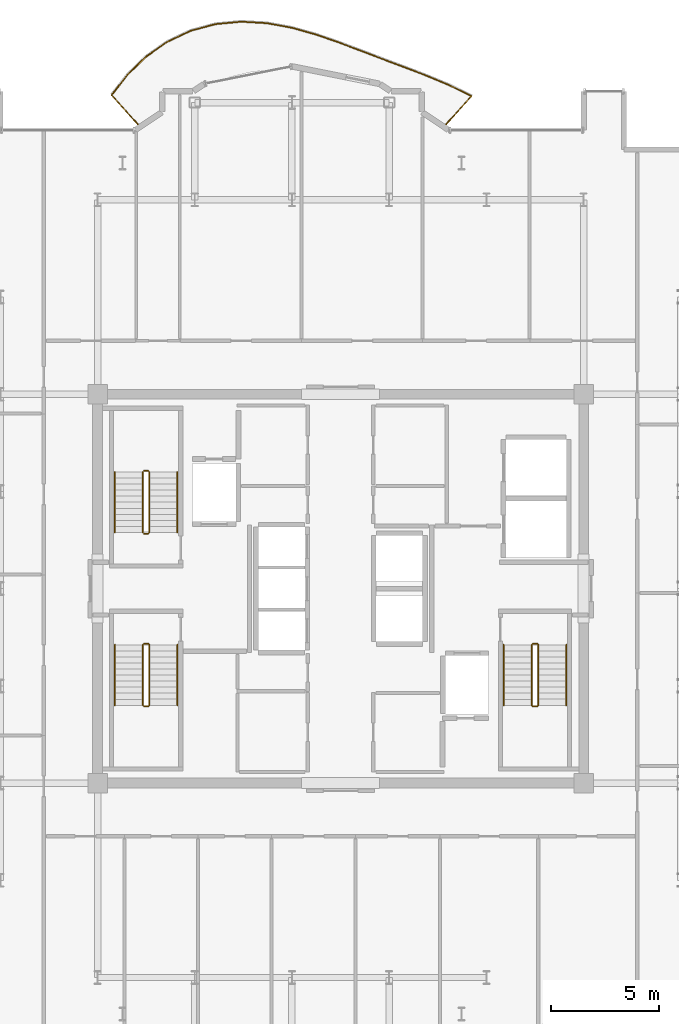
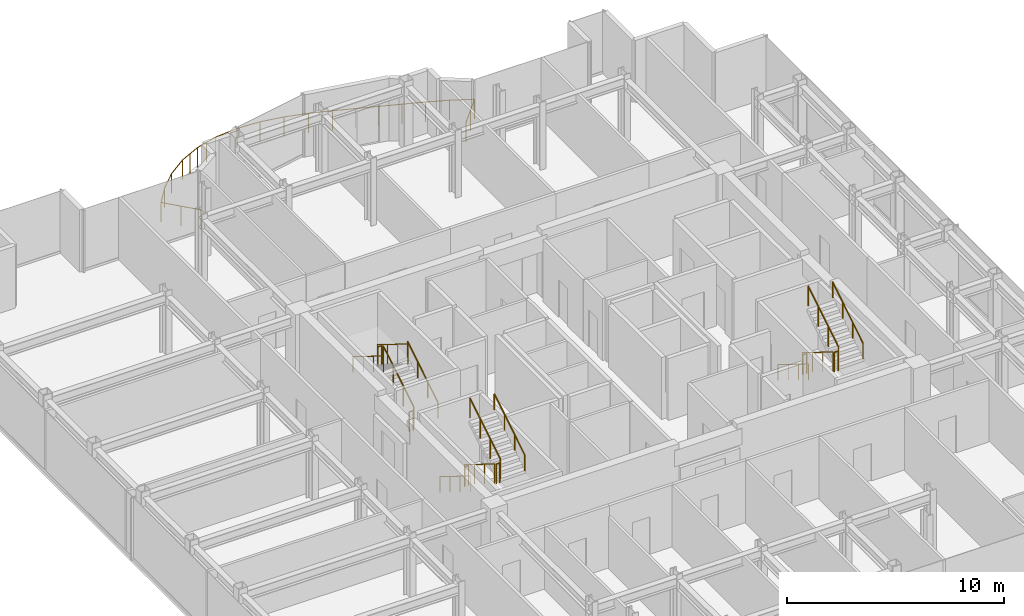
# One storey, part 18 of 18: 19 railings.
"""IFC4 building model written with IfcOpenShell, lengths in metres."""

import ifcopenshell
import ifcopenshell.guid

model = None  # the IFC model being written
_history = None  # IfcOwnerHistory: only IFC2X3 demands one
_inside = {}  # id of a spatial element -> (the spatial element, [elements in it])
_under = {}  # id of a project, library or spatial element -> (it, [spatial elements below it])
_declared = {}  # id of a project -> (the project, [libraries it declares])
_typed = {}  # id of a type object -> (the type object, [elements of that type])
_made_of = {}  # id of a material, layer set ... -> (it, [elements and type objects made of it])


def new_model(schema):
    """Start an empty IFC model of exactly this schema.

    Asked for "IFC4X3", IfcOpenShell would pick the latest addendum, in which some entities
    have other attributes; the version numbers below select the first issue.
    IFC2X3 requires an IfcOwnerHistory on every rooted entity: one is made here for all.
    """
    global model, _history
    if schema == "IFC4X3":
        model = ifcopenshell.file(schema_version=(4, 3, 0, 0))
    else:
        model = ifcopenshell.file(schema=schema)
    _inside.clear()
    _under.clear()
    _declared.clear()
    _typed.clear()
    _made_of.clear()
    _history = None
    if model.schema == "IFC2X3":
        org = make("IfcOrganization", Name="unknown")
        user = make(
            "IfcPersonAndOrganization",
            ThePerson=make("IfcPerson", FamilyName="unknown"),
            TheOrganization=org,
        )
        app = make(
            "IfcApplication",
            ApplicationDeveloper=org,
            Version="unknown",
            ApplicationFullName="unknown",
            ApplicationIdentifier="unknown",
        )
        _history = make(
            "IfcOwnerHistory",
            OwningUser=user,
            OwningApplication=app,
            ChangeAction="ADDED",
            CreationDate=0,
        )
    return model


def make(cls, **values):
    """One entity of the class cls with the attributes given. An attribute that is None is left unset."""
    return model.create_entity(
        cls, **{name: value for name, value in values.items() if value is not None}
    )


def rooted(cls, **values):
    """An entity with a GlobalId (a new one), such as an element, a storey or a relation."""
    return make(cls, GlobalId=ifcopenshell.guid.new(), OwnerHistory=_history, **values)


def si_unit(unit_type, name, prefix=None):
    """IfcSIUnit, for example si_unit("LENGTHUNIT", "METRE", prefix="MILLI")."""
    return make("IfcSIUnit", UnitType=unit_type, Prefix=prefix, Name=name)


def assignment(units):
    """IfcUnitAssignment: the units of a project."""
    return None if units is None else make("IfcUnitAssignment", Units=units)


def point(xyz):
    """IfcCartesianPoint."""
    return None if xyz is None else make("IfcCartesianPoint", Coordinates=xyz)


def direction(xyz):
    """IfcDirection."""
    return None if xyz is None else make("IfcDirection", DirectionRatios=xyz)


def frame(location, z_axis=None, x_axis=None):
    """IfcAxis2Placement3D, a coordinate frame: its origin and axes. An axis left out is left unset."""
    return make(
        "IfcAxis2Placement3D",
        Location=point(location),
        Axis=direction(z_axis),
        RefDirection=direction(x_axis),
    )


def frame_2d(location, x_axis=None):
    """IfcAxis2Placement2D, a coordinate frame in the plane: its origin and x axis."""
    return make(
        "IfcAxis2Placement2D", Location=point(location), RefDirection=direction(x_axis)
    )


def origin():
    """The frame at (0, 0, 0) with its axes left unset."""
    return frame((0.0, 0.0, 0.0))


def origin_2d():
    """The frame at (0, 0) in the plane with its x axis left unset."""
    return frame_2d((0.0, 0.0))


def place(relative_to, where):
    """IfcLocalPlacement: puts the frame where relative to a parent placement (None: the world)."""
    return make(
        "IfcLocalPlacement", PlacementRelTo=relative_to, RelativePlacement=where
    )


def context(
    kind, dimensions, precision=None, world=None, true_north=None, identifier=None
):
    """IfcGeometricRepresentationContext, for example the 3D "Model" context."""
    return make(
        "IfcGeometricRepresentationContext",
        ContextIdentifier=identifier,
        ContextType=kind,
        CoordinateSpaceDimension=dimensions,
        Precision=precision,
        WorldCoordinateSystem=world,
        TrueNorth=true_north,
    )


def subcontext(parent, identifier, kind, view, scale=None):
    """IfcGeometricRepresentationSubContext, for example "Body" below "Model"."""
    return make(
        "IfcGeometricRepresentationSubContext",
        ContextIdentifier=identifier,
        ContextType=kind,
        ParentContext=parent,
        TargetScale=scale,
        TargetView=view,
    )


def project(units=None, contexts=None):
    """IfcProject with its units and contexts."""
    return rooted(
        "IfcProject",
        Name="project",
        RepresentationContexts=contexts,
        UnitsInContext=assignment(units),
    )


def spatial(cls, under=None, at=None, **own):
    """A site, building, storey or space (cls), placed at a placement, below another one or the project."""
    s = rooted(cls, ObjectPlacement=at, **own)
    if under is not None:
        _under.setdefault(under.id(), (under, []))[1].append(s)
    return s


def profile(cls, at=None, kind="AREA", **sizes):
    """A parametric profile (cls). Its sizes go by their IFC names, for example OverallWidth=200.0."""
    return make(cls, ProfileType=kind, Position=at, **sizes)


def circle(**sizes):
    """IfcCircleProfileDef."""
    return profile("IfcCircleProfileDef", **sizes)


def extrude(swept, where, along, depth):
    """IfcExtrudedAreaSolid: the profile swept, set in the frame where, extruded along a direction by depth."""
    return make(
        "IfcExtrudedAreaSolid",
        SweptArea=swept,
        Position=where,
        ExtrudedDirection=direction(along),
        Depth=depth,
    )


def shape(context_of_items, identifier, shape_type, items):
    """IfcShapeRepresentation: the items that make up one representation, for example the "Body"."""
    return make(
        "IfcShapeRepresentation",
        ContextOfItems=context_of_items,
        RepresentationIdentifier=identifier,
        RepresentationType=shape_type,
        Items=items,
    )


def material(Name=None, Category=None):
    """IfcMaterial."""
    return make("IfcMaterial", Name=Name, Category=Category)


def made_of(thing, what):
    """Note that an element or type object is made of a material, layer set ...; save() writes the relation."""
    if what is not None:
        _made_of.setdefault(what.id(), (what, []))[1].append(thing)
    return thing


def type_object(cls, material=None, **own):
    """A type object (cls), such as IfcWallType, which elements share."""
    return made_of(rooted(cls, **own), material)


def element(
    cls,
    number,
    at=None,
    inside=None,
    cuts=None,
    type_object=None,
    material=None,
    context=None,
    identifier="Body",
    shape_type=None,
    held_by="IfcProductDefinitionShape",
    body=None,
    shapes=None,
    **own,
):
    """One element of the class cls, such as IfcWall. Its Tag is "e" and its number.

    at: its placement. inside: the storey or other place that contains it. cuts: it is an
    opening in that element (IfcRelVoidsElement). A single representation is given by context,
    identifier, shape_type and body (its items); several are given by shapes. held_by: the class
    of the entity that holds the representations. save() writes the other relations.
    """
    e = rooted(cls, Tag="e%d" % number, ObjectPlacement=at, **own)
    if body is not None:
        shapes = [shape(context, identifier, shape_type, body)]
    if shapes is not None:
        e.Representation = make(held_by, Representations=shapes)
    if inside is not None:
        _inside.setdefault(inside.id(), (inside, []))[1].append(e)
    if cuts is not None:
        rooted(
            "IfcRelVoidsElement", RelatingBuildingElement=cuts, RelatedOpeningElement=e
        )
    if type_object is not None:
        _typed.setdefault(type_object.id(), (type_object, []))[1].append(e)
    return made_of(e, material)


def aggregate(whole, parts):
    """IfcRelAggregates: a whole, such as a stair, and the parts it consists of."""
    return rooted("IfcRelAggregates", RelatingObject=whole, RelatedObjects=parts)


def save(model, path):
    """Write the relations noted so far, then the file.

    IfcRelAggregates (storeys below a building ...), IfcRelContainedInSpatialStructure (elements
    in a storey), IfcRelDefinesByType, IfcRelAssociatesMaterial and IfcRelDeclares: one each for
    every whole, place, type object, material and project.
    """
    for whole, parts in _under.values():
        aggregate(whole, parts)
    for where, things in _inside.values():
        rooted(
            "IfcRelContainedInSpatialStructure",
            RelatedElements=things,
            RelatingStructure=where,
        )
    for kind, things in _typed.values():
        rooted("IfcRelDefinesByType", RelatedObjects=things, RelatingType=kind)
    for what, things in _made_of.values():
        rooted("IfcRelAssociatesMaterial", RelatedObjects=things, RelatingMaterial=what)
    for by, libraries in _declared.values():
        rooted("IfcRelDeclares", RelatingContext=by, RelatedDefinitions=libraries)
    model.write(path)


model = new_model("IFC4")

# Units and contexts
model_context = context("Model", 3, precision=1e-05, world=origin(), true_north=direction((0.0, 1.0)))
body_context = subcontext(model_context, "Body", "Model", "MODEL_VIEW")
ifc_project = project(units=[si_unit("LENGTHUNIT", "METRE"), si_unit("AREAUNIT", "SQUARE_METRE"), si_unit("VOLUMEUNIT", "CUBIC_METRE"), si_unit("PLANEANGLEUNIT", "RADIAN"), si_unit("MASSUNIT", "GRAM", prefix="KILO")], contexts=[model_context])

# Site, building, storey
site_placement = place(None, origin())
site = spatial("IfcSite", under=ifc_project, at=site_placement, CompositionType="ELEMENT")
building_placement = place(site_placement, origin())
building = spatial("IfcBuilding", under=site, at=building_placement, Name="Nefas-Gora Pilgrimage Tower", CompositionType="ELEMENT")
storey_placement = place(building_placement, frame((0.0, 0.0, 314.0)))
storey = spatial("IfcBuildingStorey", under=building, at=storey_placement, Name="L79", CompositionType="ELEMENT", Elevation=314.0)

# Railings
ifc_material_1 = material(Name="Laminated safety glass and stainless steel", Category="steel")
railing_type_1 = type_object("IfcRailingType", Name="RLG-BAL-1100", PredefinedType="BALUSTRADE", material=ifc_material_1)
railing_1_placement = place(storey_placement, frame((4.802490234375, 21.402587890625, 0.0)))
element("IfcRailing", 1, at=railing_1_placement, inside=storey, type_object=railing_type_1, Name="L79 Wave Balcony Balustrade N1", PredefinedType="BALUSTRADE", context=body_context, shape_type="SweptSolid", body=[
    extrude(circle(Radius=0.02392578125, at=origin_2d()), frame((0.0, 0.0, 1.09619140625), z_axis=(0.669129721026, 0.743145622634, 0.0), x_axis=(-0.743145622634, 0.669129721026, 0.0)), (0.0, 0.0, 1.0), 1.880126953125),
    extrude(circle(Radius=0.02392578125, at=origin_2d()), frame((1.258056640625, 1.397216796875, 1.09619140625), z_axis=(-0.897530866126, 0.440951634934, 0.0), x_axis=(-0.440951634934, -0.897530866126, 0.0)), (0.0, 0.0, 1.0), 1.156005859375),
    extrude(circle(Radius=0.02392578125, at=origin_2d()), frame((0.220458984375, 1.906982421875, 1.09619140625), z_axis=(-0.923243625246, 0.38421505494, 0.0), x_axis=(-0.38421505494, -0.923243625246, 0.0)), (0.0, 0.0, 1.0), 1.1259765625),
    extrude(circle(Radius=0.02392578125, at=origin_2d()), frame((-0.819091796875, 2.339599609375, 1.09619140625), z_axis=(-0.934374803471, 0.356291631447, 0.0), x_axis=(-0.356291631447, -0.934374803471, 0.0)), (0.0, 0.0, 1.0), 1.096435546875),
    extrude(circle(Radius=0.02392578125, at=origin_2d()), frame((-1.843505859375, 2.730224609375, 1.09619140625), z_axis=(-0.936142832811, 0.351619960436, 0.0), x_axis=(-0.351619960436, -0.936142832811, 0.0)), (0.0, 0.0, 1.0), 1.07763671875),
    extrude(circle(Radius=0.02392578125, at=origin_2d()), frame((-2.852294921875, 3.109130859375, 1.09619140625), z_axis=(-0.934584678215, 0.355740747239, 0.0), x_axis=(-0.355740747239, -0.934584678215, 0.0)), (0.0, 0.0, 1.0), 1.076904296875),
    extrude(circle(Radius=0.02392578125, at=origin_2d()), frame((-3.858642578125, 3.4921875, 1.09619140625), z_axis=(-0.935740767911, 0.352688552791, 0.0), x_axis=(-0.352688552791, -0.935740767911, 0.0)), (0.0, 0.0, 1.0), 1.09375),
    extrude(circle(Radius=0.02392578125, at=origin_2d()), frame((-4.882080078125, 3.8779296875, 1.09619140625), z_axis=(-0.944898112614, 0.327364562496, 0.0), x_axis=(-0.327364562496, -0.944898112614, 0.0)), (0.0, 0.0, 1.0), 1.122314453125),
    extrude(circle(Radius=0.02392578125, at=origin_2d()), frame((-5.942626953125, 4.245361328125, 1.09619140625), z_axis=(-0.96246102168, 0.271419936162, 0.0), x_axis=(-0.271419936162, -0.96246102168, 0.0)), (0.0, 0.0, 1.0), 1.153076171875),
    extrude(circle(Radius=0.02392578125, at=origin_2d()), frame((-7.052490234375, 4.558349609375, 1.09619140625), z_axis=(-0.983449300548, 0.181183534713, 0.0), x_axis=(-0.181183534713, -0.983449300548, 0.0)), (0.0, 0.0, 1.0), 1.177734375),
    extrude(circle(Radius=0.02392578125, at=origin_2d()), frame((-8.210693359375, 4.771728515625, 1.09619140625), z_axis=(-0.998344239726, 0.057521987157, 0.0), x_axis=(-0.057521987157, -0.998344239726, 0.0)), (0.0, 0.0, 1.0), 1.192626953125),
    extrude(circle(Radius=0.02392578125, at=origin_2d()), frame((-9.4013671875, 4.84033203125, 1.09619140625), z_axis=(-0.995583812975, -0.093876894617, 0.0), x_axis=(0.093876894617, -0.995583812975, 0.0)), (0.0, 0.0, 1.0), 1.198974609375),
    extrude(circle(Radius=0.02392578125, at=origin_2d()), frame((-10.594970703125, 4.727783203125, 1.09619140625), z_axis=(-0.965413215034, -0.260724613793, 0.0), x_axis=(0.260724613793, -0.965413215034, 0.0)), (0.0, 0.0, 1.0), 1.200439453125),
    extrude(circle(Radius=0.02392578125, at=origin_2d()), frame((-11.75390625, 4.414794921875, 1.09619140625), z_axis=(-0.904015108166, -0.427500507844, 0.0), x_axis=(0.427500507844, -0.904015108166, 0.0)), (0.0, 0.0, 1.0), 1.200439453125),
    extrude(circle(Radius=0.02392578125, at=origin_2d()), frame((-12.839111328125, 3.901611328125, 1.09619140625), z_axis=(-0.816392240184, -0.577497801007, 0.0), x_axis=(0.577497801007, -0.816392240184, 0.0)), (0.0, 0.0, 1.0), 1.19970703125),
    extrude(circle(Radius=0.02392578125, at=origin_2d()), frame((-13.818603515625, 3.208740234375, 1.09619140625), z_axis=(-0.715228965311, -0.698890211106, 0.0), x_axis=(0.698890211106, -0.715228965311, 0.0)), (0.0, 0.0, 1.0), 1.1953125),
    extrude(circle(Radius=0.02392578125, at=origin_2d()), frame((-14.673583984375, 2.373291015625, 1.09619140625), z_axis=(-0.615495930297, -0.78814006356, 0.0), x_axis=(0.78814006356, -0.615495930297, 0.0)), (0.0, 0.0, 1.0), 1.18359375),
    extrude(circle(Radius=0.02392578125, at=origin_2d()), frame((-15.402099609375, 1.4404296875, 1.09619140625), z_axis=(0.669173462492, -0.743106235404, 0.0), x_axis=(0.743106235404, 0.669173462492, 0.0)), (0.0, 0.0, 1.0), 1.9384765625),
    extrude(circle(Radius=0.02099609375, at=origin_2d()), origin(), (0.0, 0.0, 1.0), 1.072021484375),
    extrude(circle(Radius=0.02099609375, at=origin_2d()), frame((0.62890625, 0.69873046875, 0.0)), (0.0, 0.0, 1.0), 1.072021484375),
    extrude(circle(Radius=0.02099609375, at=origin_2d()), frame((1.258056640625, 1.397216796875, 0.0)), (0.0, 0.0, 1.0), 1.072021484375),
    extrude(circle(Radius=0.02099609375, at=origin_2d()), frame((0.220458984375, 1.906982421875, 0.0)), (0.0, 0.0, 1.0), 1.072021484375),
    extrude(circle(Radius=0.02099609375, at=origin_2d()), frame((-0.819091796875, 2.339599609375, 0.0)), (0.0, 0.0, 1.0), 1.072021484375),
    extrude(circle(Radius=0.02099609375, at=origin_2d()), frame((-1.843505859375, 2.730224609375, 0.0)), (0.0, 0.0, 1.0), 1.072021484375),
    extrude(circle(Radius=0.02099609375, at=origin_2d()), frame((-2.852294921875, 3.109130859375, 0.0)), (0.0, 0.0, 1.0), 1.072021484375),
    extrude(circle(Radius=0.02099609375, at=origin_2d()), frame((-3.858642578125, 3.4921875, 0.0)), (0.0, 0.0, 1.0), 1.072021484375),
    extrude(circle(Radius=0.02099609375, at=origin_2d()), frame((-4.882080078125, 3.8779296875, 0.0)), (0.0, 0.0, 1.0), 1.072021484375),
    extrude(circle(Radius=0.02099609375, at=origin_2d()), frame((-5.942626953125, 4.245361328125, 0.0)), (0.0, 0.0, 1.0), 1.072021484375),
    extrude(circle(Radius=0.02099609375, at=origin_2d()), frame((-7.052490234375, 4.558349609375, 0.0)), (0.0, 0.0, 1.0), 1.072021484375),
    extrude(circle(Radius=0.02099609375, at=origin_2d()), frame((-8.210693359375, 4.771728515625, 0.0)), (0.0, 0.0, 1.0), 1.072021484375),
    extrude(circle(Radius=0.02099609375, at=origin_2d()), frame((-9.4013671875, 4.84033203125, 0.0)), (0.0, 0.0, 1.0), 1.072021484375),
    extrude(circle(Radius=0.02099609375, at=origin_2d()), frame((-10.594970703125, 4.727783203125, 0.0)), (0.0, 0.0, 1.0), 1.072021484375),
    extrude(circle(Radius=0.02099609375, at=origin_2d()), frame((-11.17431640625, 4.5712890625, 0.0)), (0.0, 0.0, 1.0), 1.072021484375),
    extrude(circle(Radius=0.02099609375, at=origin_2d()), frame((-11.75390625, 4.414794921875, 0.0)), (0.0, 0.0, 1.0), 1.072021484375),
    extrude(circle(Radius=0.02099609375, at=origin_2d()), frame((-12.29638671875, 4.158203125, 0.0)), (0.0, 0.0, 1.0), 1.072021484375),
    extrude(circle(Radius=0.02099609375, at=origin_2d()), frame((-12.839111328125, 3.901611328125, 0.0)), (0.0, 0.0, 1.0), 1.072021484375),
    extrude(circle(Radius=0.02099609375, at=origin_2d()), frame((-13.818603515625, 3.208740234375, 0.0)), (0.0, 0.0, 1.0), 1.072021484375),
    extrude(circle(Radius=0.02099609375, at=origin_2d()), frame((-14.673583984375, 2.373291015625, 0.0)), (0.0, 0.0, 1.0), 1.072021484375),
    extrude(circle(Radius=0.02099609375, at=origin_2d()), frame((-15.402099609375, 1.4404296875, 0.0)), (0.0, 0.0, 1.0), 1.072021484375),
    extrude(circle(Radius=0.02099609375, at=origin_2d()), frame((-14.75341796875, 0.72021484375, 0.0)), (0.0, 0.0, 1.0), 1.072021484375),
    extrude(circle(Radius=0.02099609375, at=origin_2d()), frame((-14.10498046875, 0.0, 0.0)), (0.0, 0.0, 1.0), 1.072021484375),
])
ifc_material_2 = material(Name="Painted galvanised steel", Category="steel")
railing_type_2 = type_object("IfcRailingType", Name="RLG-STR-GUARD-1100", PredefinedType="GUARDRAIL", material=ifc_material_2)
railing_2_placement = place(storey_placement, frame((-8.85009765625, 2.60009765625, 0.172607421875)))
element("IfcRailing", 2, at=railing_2_placement, inside=storey, type_object=railing_type_2, Name="L79 ST-01 stair guard 1", PredefinedType="GUARDRAIL", context=body_context, shape_type="SweptSolid", body=[
    extrude(circle(Radius=0.02392578125, at=origin_2d()), frame((0.0, 0.0, 1.09619140625), z_axis=(0.0, 0.851069175582, 0.525053576669), x_axis=(-1.0, 0.0, 0.0)), (0.0, 0.0, 1.0), 3.289794921875),
    extrude(circle(Radius=0.02099609375, at=origin_2d()), origin(), (0.0, 0.0, 1.0), 1.072021484375),
    extrude(circle(Radius=0.02099609375, at=origin_2d()), frame((0.0, 0.933349609375, 0.57568359375)), (0.0, 0.0, 1.0), 1.072021484375),
    extrude(circle(Radius=0.02099609375, at=origin_2d()), frame((0.0, 1.866455078125, 1.151611328125)), (0.0, 0.0, 1.0), 1.072021484375),
    extrude(circle(Radius=0.02099609375, at=origin_2d()), frame((0.0, 2.7998046875, 1.727294921875)), (0.0, 0.0, 1.0), 1.072021484375),
])
railing_3_placement = place(storey_placement, frame((-8.89990234375, 5.449951171875, 1.89990234375)))
element("IfcRailing", 3, at=railing_3_placement, inside=storey, type_object=railing_type_2, Name="L79 ST-01 stair guard 2", PredefinedType="GUARDRAIL", context=body_context, shape_type="SweptSolid", body=[
    extrude(circle(Radius=0.02392578125, at=origin_2d()), frame((0.0, 0.0, 1.09619140625), z_axis=(-1.0, 0.0, 0.0), x_axis=(0.0, -1.0, 0.0)), (0.0, 0.0, 1.0), 0.2001953125),
    extrude(circle(Radius=0.02099609375, at=origin_2d()), origin(), (0.0, 0.0, 1.0), 1.072021484375),
    extrude(circle(Radius=0.02099609375, at=origin_2d()), frame((-0.2001953125, 0.0, 0.0)), (0.0, 0.0, 1.0), 1.072021484375),
])
railing_4_placement = place(storey_placement, frame((-9.14990234375, 5.39990234375, 2.07275390625)))
element("IfcRailing", 4, at=railing_4_placement, inside=storey, type_object=railing_type_2, Name="L79 ST-01 stair guard 3", PredefinedType="GUARDRAIL", context=body_context, shape_type="SweptSolid", body=[
    extrude(circle(Radius=0.02392578125, at=origin_2d()), frame((0.0, 0.0, 1.09619140625), z_axis=(0.0, -0.851069175582, 0.525053576669), x_axis=(1.0, 0.0, 0.0)), (0.0, 0.0, 1.0), 3.289794921875),
    extrude(circle(Radius=0.02099609375, at=origin_2d()), origin(), (0.0, 0.0, 1.0), 1.072021484375),
    extrude(circle(Radius=0.02099609375, at=origin_2d()), frame((0.0, -0.933349609375, 0.57568359375)), (0.0, 0.0, 1.0), 1.072021484375),
    extrude(circle(Radius=0.02099609375, at=origin_2d()), frame((0.0, -1.866455078125, 1.151611328125)), (0.0, 0.0, 1.0), 1.072021484375),
    extrude(circle(Radius=0.02099609375, at=origin_2d()), frame((0.0, -2.7998046875, 1.727294921875)), (0.0, 0.0, 1.0), 1.072021484375),
])
railing_5_placement = place(storey_placement, frame((-8.89990234375, 2.550048828125, 0.0)))
element("IfcRailing", 5, at=railing_5_placement, inside=storey, type_object=railing_type_2, Name="L79 ST-01 stair guard 4", PredefinedType="GUARDRAIL", context=body_context, shape_type="SweptSolid", body=[
    extrude(circle(Radius=0.02392578125, at=origin_2d()), frame((0.0, 0.0, 1.09619140625), z_axis=(-1.0, 0.0, 0.0), x_axis=(0.0, -1.0, 0.0)), (0.0, 0.0, 1.0), 0.2001953125),
    extrude(circle(Radius=0.02099609375, at=origin_2d()), origin(), (0.0, 0.0, 1.0), 1.072021484375),
    extrude(circle(Radius=0.02099609375, at=origin_2d()), frame((-0.2001953125, 0.0, 0.0)), (0.0, 0.0, 1.0), 1.072021484375),
])
railing_6_placement = place(storey_placement, frame((8.85009765625, -2.60009765625, 0.172607421875)))
element("IfcRailing", 6, at=railing_6_placement, inside=storey, type_object=railing_type_2, Name="L79 ST-02 stair guard 1", PredefinedType="GUARDRAIL", context=body_context, shape_type="SweptSolid", body=[
    extrude(circle(Radius=0.02392578125, at=origin_2d()), frame((0.0, 0.0, 1.09619140625), z_axis=(0.0, -0.851069175582, 0.525053576669), x_axis=(1.0, 0.0, 0.0)), (0.0, 0.0, 1.0), 3.289794921875),
    extrude(circle(Radius=0.02099609375, at=origin_2d()), origin(), (0.0, 0.0, 1.0), 1.072021484375),
    extrude(circle(Radius=0.02099609375, at=origin_2d()), frame((0.0, -0.933349609375, 0.57568359375)), (0.0, 0.0, 1.0), 1.072021484375),
    extrude(circle(Radius=0.02099609375, at=origin_2d()), frame((0.0, -1.866455078125, 1.151611328125)), (0.0, 0.0, 1.0), 1.072021484375),
    extrude(circle(Radius=0.02099609375, at=origin_2d()), frame((0.0, -2.7998046875, 1.727294921875)), (0.0, 0.0, 1.0), 1.072021484375),
])
railing_7_placement = place(storey_placement, frame((8.89990234375, -5.449951171875, 1.89990234375)))
element("IfcRailing", 7, at=railing_7_placement, inside=storey, type_object=railing_type_2, Name="L79 ST-02 stair guard 2", PredefinedType="GUARDRAIL", context=body_context, shape_type="SweptSolid", body=[
    extrude(circle(Radius=0.02392578125, at=origin_2d()), frame((0.0, 0.0, 1.09619140625), z_axis=(1.0, 0.0, 0.0), x_axis=(0.0, 1.0, 0.0)), (0.0, 0.0, 1.0), 0.2001953125),
    extrude(circle(Radius=0.02099609375, at=origin_2d()), origin(), (0.0, 0.0, 1.0), 1.072021484375),
    extrude(circle(Radius=0.02099609375, at=origin_2d()), frame((0.2001953125, 0.0, 0.0)), (0.0, 0.0, 1.0), 1.072021484375),
])
railing_8_placement = place(storey_placement, frame((9.14990234375, -5.39990234375, 2.07275390625)))
element("IfcRailing", 8, at=railing_8_placement, inside=storey, type_object=railing_type_2, Name="L79 ST-02 stair guard 3", PredefinedType="GUARDRAIL", context=body_context, shape_type="SweptSolid", body=[
    extrude(circle(Radius=0.02392578125, at=origin_2d()), frame((0.0, 0.0, 1.09619140625), z_axis=(0.0, 0.851069175582, 0.525053576669), x_axis=(-1.0, 0.0, 0.0)), (0.0, 0.0, 1.0), 3.289794921875),
    extrude(circle(Radius=0.02099609375, at=origin_2d()), origin(), (0.0, 0.0, 1.0), 1.072021484375),
    extrude(circle(Radius=0.02099609375, at=origin_2d()), frame((0.0, 0.933349609375, 0.57568359375)), (0.0, 0.0, 1.0), 1.072021484375),
    extrude(circle(Radius=0.02099609375, at=origin_2d()), frame((0.0, 1.866455078125, 1.151611328125)), (0.0, 0.0, 1.0), 1.072021484375),
    extrude(circle(Radius=0.02099609375, at=origin_2d()), frame((0.0, 2.7998046875, 1.727294921875)), (0.0, 0.0, 1.0), 1.072021484375),
])
railing_9_placement = place(storey_placement, frame((8.89990234375, -2.550048828125, 0.0)))
element("IfcRailing", 9, at=railing_9_placement, inside=storey, type_object=railing_type_2, Name="L79 ST-02 stair guard 4", PredefinedType="GUARDRAIL", context=body_context, shape_type="SweptSolid", body=[
    extrude(circle(Radius=0.02392578125, at=origin_2d()), frame((0.0, 0.0, 1.09619140625), z_axis=(1.0, 0.0, 0.0), x_axis=(0.0, 1.0, 0.0)), (0.0, 0.0, 1.0), 0.2001953125),
    extrude(circle(Radius=0.02099609375, at=origin_2d()), origin(), (0.0, 0.0, 1.0), 1.072021484375),
    extrude(circle(Radius=0.02099609375, at=origin_2d()), frame((0.2001953125, 0.0, 0.0)), (0.0, 0.0, 1.0), 1.072021484375),
])
railing_10_placement = place(storey_placement, frame((-9.14990234375, -2.60009765625, 0.172607421875)))
element("IfcRailing", 10, at=railing_10_placement, inside=storey, type_object=railing_type_2, Name="L79 ST-03 stair guard 1", PredefinedType="GUARDRAIL", context=body_context, shape_type="SweptSolid", body=[
    extrude(circle(Radius=0.02392578125, at=origin_2d()), frame((0.0, 0.0, 1.09619140625), z_axis=(0.0, -0.851069175582, 0.525053576669), x_axis=(1.0, 0.0, 0.0)), (0.0, 0.0, 1.0), 3.289794921875),
    extrude(circle(Radius=0.02099609375, at=origin_2d()), origin(), (0.0, 0.0, 1.0), 1.072021484375),
    extrude(circle(Radius=0.02099609375, at=origin_2d()), frame((0.0, -0.933349609375, 0.57568359375)), (0.0, 0.0, 1.0), 1.072021484375),
    extrude(circle(Radius=0.02099609375, at=origin_2d()), frame((0.0, -1.866455078125, 1.151611328125)), (0.0, 0.0, 1.0), 1.072021484375),
    extrude(circle(Radius=0.02099609375, at=origin_2d()), frame((0.0, -2.7998046875, 1.727294921875)), (0.0, 0.0, 1.0), 1.072021484375),
])
railing_11_placement = place(storey_placement, frame((-9.10009765625, -5.449951171875, 1.89990234375)))
element("IfcRailing", 11, at=railing_11_placement, inside=storey, type_object=railing_type_2, Name="L79 ST-03 stair guard 2", PredefinedType="GUARDRAIL", context=body_context, shape_type="SweptSolid", body=[
    extrude(circle(Radius=0.02392578125, at=origin_2d()), frame((0.0, 0.0, 1.09619140625), z_axis=(1.0, 0.0, 0.0), x_axis=(0.0, 1.0, 0.0)), (0.0, 0.0, 1.0), 0.2001953125),
    extrude(circle(Radius=0.02099609375, at=origin_2d()), origin(), (0.0, 0.0, 1.0), 1.072021484375),
    extrude(circle(Radius=0.02099609375, at=origin_2d()), frame((0.2001953125, 0.0, 0.0)), (0.0, 0.0, 1.0), 1.072021484375),
])
railing_12_placement = place(storey_placement, frame((-8.85009765625, -5.39990234375, 2.07275390625)))
element("IfcRailing", 12, at=railing_12_placement, inside=storey, type_object=railing_type_2, Name="L79 ST-03 stair guard 3", PredefinedType="GUARDRAIL", context=body_context, shape_type="SweptSolid", body=[
    extrude(circle(Radius=0.02392578125, at=origin_2d()), frame((0.0, 0.0, 1.09619140625), z_axis=(0.0, 0.851069175582, 0.525053576669), x_axis=(-1.0, 0.0, 0.0)), (0.0, 0.0, 1.0), 3.289794921875),
    extrude(circle(Radius=0.02099609375, at=origin_2d()), origin(), (0.0, 0.0, 1.0), 1.072021484375),
    extrude(circle(Radius=0.02099609375, at=origin_2d()), frame((0.0, 0.933349609375, 0.57568359375)), (0.0, 0.0, 1.0), 1.072021484375),
    extrude(circle(Radius=0.02099609375, at=origin_2d()), frame((0.0, 1.866455078125, 1.151611328125)), (0.0, 0.0, 1.0), 1.072021484375),
    extrude(circle(Radius=0.02099609375, at=origin_2d()), frame((0.0, 2.7998046875, 1.727294921875)), (0.0, 0.0, 1.0), 1.072021484375),
])
railing_13_placement = place(storey_placement, frame((-9.10009765625, -2.550048828125, 0.0)))
element("IfcRailing", 13, at=railing_13_placement, inside=storey, type_object=railing_type_2, Name="L79 ST-03 stair guard 4", PredefinedType="GUARDRAIL", context=body_context, shape_type="SweptSolid", body=[
    extrude(circle(Radius=0.02392578125, at=origin_2d()), frame((0.0, 0.0, 1.09619140625), z_axis=(1.0, 0.0, 0.0), x_axis=(0.0, 1.0, 0.0)), (0.0, 0.0, 1.0), 0.2001953125),
    extrude(circle(Radius=0.02099609375, at=origin_2d()), origin(), (0.0, 0.0, 1.0), 1.072021484375),
    extrude(circle(Radius=0.02099609375, at=origin_2d()), frame((0.2001953125, 0.0, 0.0)), (0.0, 0.0, 1.0), 1.072021484375),
])
ifc_material_3 = material(Name="Brushed stainless steel", Category="steel")
railing_type_3 = type_object("IfcRailingType", Name="RLG-STR-HAND-900", PredefinedType="HANDRAIL", material=ifc_material_3)
railing_14_placement = place(storey_placement, frame((-7.550048828125, 2.60009765625, 0.172607421875)))
element("IfcRailing", 14, at=railing_14_placement, inside=storey, type_object=railing_type_3, Name="L79 ST-01 stair handrail 1", PredefinedType="HANDRAIL", context=body_context, shape_type="SweptSolid", body=[
    extrude(circle(Radius=0.02392578125, at=origin_2d()), frame((0.0, 0.0, 0.8759765625), z_axis=(0.0, 0.851069175582, 0.525053576669), x_axis=(-1.0, 0.0, 0.0)), (0.0, 0.0, 1.0), 3.289794921875),
    extrude(circle(Radius=0.02099609375, at=origin_2d()), origin(), (0.0, 0.0, 1.0), 0.851806640625),
    extrude(circle(Radius=0.02099609375, at=origin_2d()), frame((0.0, 0.933349609375, 0.57568359375)), (0.0, 0.0, 1.0), 0.851806640625),
    extrude(circle(Radius=0.02099609375, at=origin_2d()), frame((0.0, 1.866455078125, 1.151611328125)), (0.0, 0.0, 1.0), 0.851806640625),
    extrude(circle(Radius=0.02099609375, at=origin_2d()), frame((0.0, 2.7998046875, 1.727294921875)), (0.0, 0.0, 1.0), 0.851806640625),
])
for number, where, name in (
    (15, (-10.449951171875, 5.39990234375, 2.07275390625), "L79 ST-01 stair handrail 2"),
    (16, (7.550048828125, -2.60009765625, 0.172607421875), "L79 ST-02 stair handrail 1"),
):
    element("IfcRailing", number, at=place(storey_placement, frame(where)), inside=storey, type_object=railing_type_3, Name=name, PredefinedType="HANDRAIL", context=body_context, shape_type="SweptSolid", body=[
        extrude(circle(Radius=0.02392578125, at=origin_2d()), frame((0.0, 0.0, 0.8759765625), z_axis=(0.0, -0.851069175582, 0.525053576669), x_axis=(1.0, 0.0, 0.0)), (0.0, 0.0, 1.0), 3.289794921875),
        extrude(circle(Radius=0.02099609375, at=origin_2d()), origin(), (0.0, 0.0, 1.0), 0.851806640625),
        extrude(circle(Radius=0.02099609375, at=origin_2d()), frame((0.0, -0.933349609375, 0.57568359375)), (0.0, 0.0, 1.0), 0.851806640625),
        extrude(circle(Radius=0.02099609375, at=origin_2d()), frame((0.0, -1.866455078125, 1.151611328125)), (0.0, 0.0, 1.0), 0.851806640625),
        extrude(circle(Radius=0.02099609375, at=origin_2d()), frame((0.0, -2.7998046875, 1.727294921875)), (0.0, 0.0, 1.0), 0.851806640625),
    ])
railing_15_placement = place(storey_placement, frame((10.449951171875, -5.39990234375, 2.07275390625)))
element("IfcRailing", 17, at=railing_15_placement, inside=storey, type_object=railing_type_3, Name="L79 ST-02 stair handrail 2", PredefinedType="HANDRAIL", context=body_context, shape_type="SweptSolid", body=[
    extrude(circle(Radius=0.02392578125, at=origin_2d()), frame((0.0, 0.0, 0.8759765625), z_axis=(0.0, 0.851069175582, 0.525053576669), x_axis=(-1.0, 0.0, 0.0)), (0.0, 0.0, 1.0), 3.289794921875),
    extrude(circle(Radius=0.02099609375, at=origin_2d()), origin(), (0.0, 0.0, 1.0), 0.851806640625),
    extrude(circle(Radius=0.02099609375, at=origin_2d()), frame((0.0, 0.933349609375, 0.57568359375)), (0.0, 0.0, 1.0), 0.851806640625),
    extrude(circle(Radius=0.02099609375, at=origin_2d()), frame((0.0, 1.866455078125, 1.151611328125)), (0.0, 0.0, 1.0), 0.851806640625),
    extrude(circle(Radius=0.02099609375, at=origin_2d()), frame((0.0, 2.7998046875, 1.727294921875)), (0.0, 0.0, 1.0), 0.851806640625),
])
railing_16_placement = place(storey_placement, frame((-10.449951171875, -2.60009765625, 0.172607421875)))
element("IfcRailing", 18, at=railing_16_placement, inside=storey, type_object=railing_type_3, Name="L79 ST-03 stair handrail 1", PredefinedType="HANDRAIL", context=body_context, shape_type="SweptSolid", body=[
    extrude(circle(Radius=0.02392578125, at=origin_2d()), frame((0.0, 0.0, 0.8759765625), z_axis=(0.0, -0.851069175582, 0.525053576669), x_axis=(1.0, 0.0, 0.0)), (0.0, 0.0, 1.0), 3.289794921875),
    extrude(circle(Radius=0.02099609375, at=origin_2d()), origin(), (0.0, 0.0, 1.0), 0.851806640625),
    extrude(circle(Radius=0.02099609375, at=origin_2d()), frame((0.0, -0.933349609375, 0.57568359375)), (0.0, 0.0, 1.0), 0.851806640625),
    extrude(circle(Radius=0.02099609375, at=origin_2d()), frame((0.0, -1.866455078125, 1.151611328125)), (0.0, 0.0, 1.0), 0.851806640625),
    extrude(circle(Radius=0.02099609375, at=origin_2d()), frame((0.0, -2.7998046875, 1.727294921875)), (0.0, 0.0, 1.0), 0.851806640625),
])
railing_17_placement = place(storey_placement, frame((-7.550048828125, -5.39990234375, 2.07275390625)))
element("IfcRailing", 19, at=railing_17_placement, inside=storey, type_object=railing_type_3, Name="L79 ST-03 stair handrail 2", PredefinedType="HANDRAIL", context=body_context, shape_type="SweptSolid", body=[
    extrude(circle(Radius=0.02392578125, at=origin_2d()), frame((0.0, 0.0, 0.8759765625), z_axis=(0.0, 0.851069175582, 0.525053576669), x_axis=(-1.0, 0.0, 0.0)), (0.0, 0.0, 1.0), 3.289794921875),
    extrude(circle(Radius=0.02099609375, at=origin_2d()), origin(), (0.0, 0.0, 1.0), 0.851806640625),
    extrude(circle(Radius=0.02099609375, at=origin_2d()), frame((0.0, 0.933349609375, 0.57568359375)), (0.0, 0.0, 1.0), 0.851806640625),
    extrude(circle(Radius=0.02099609375, at=origin_2d()), frame((0.0, 1.866455078125, 1.151611328125)), (0.0, 0.0, 1.0), 0.851806640625),
    extrude(circle(Radius=0.02099609375, at=origin_2d()), frame((0.0, 2.7998046875, 1.727294921875)), (0.0, 0.0, 1.0), 0.851806640625),
])

save(model, "model.ifc")
